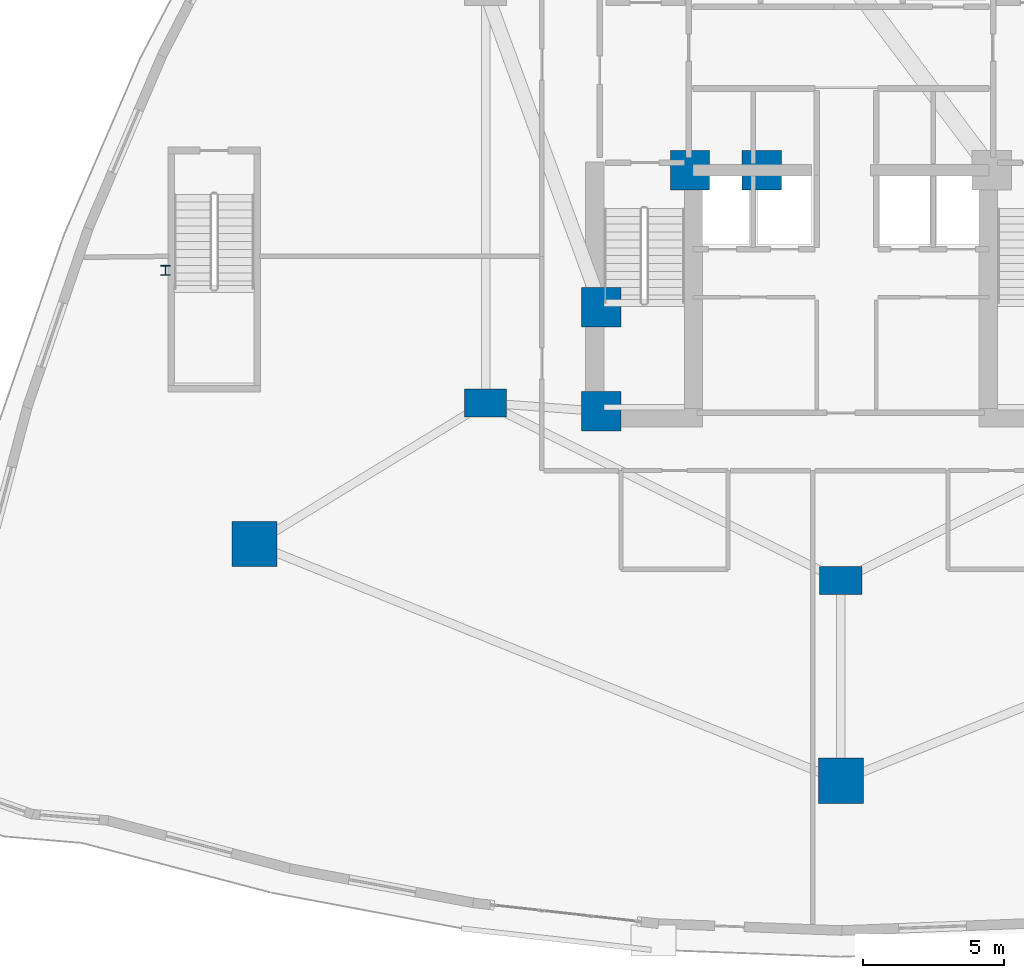
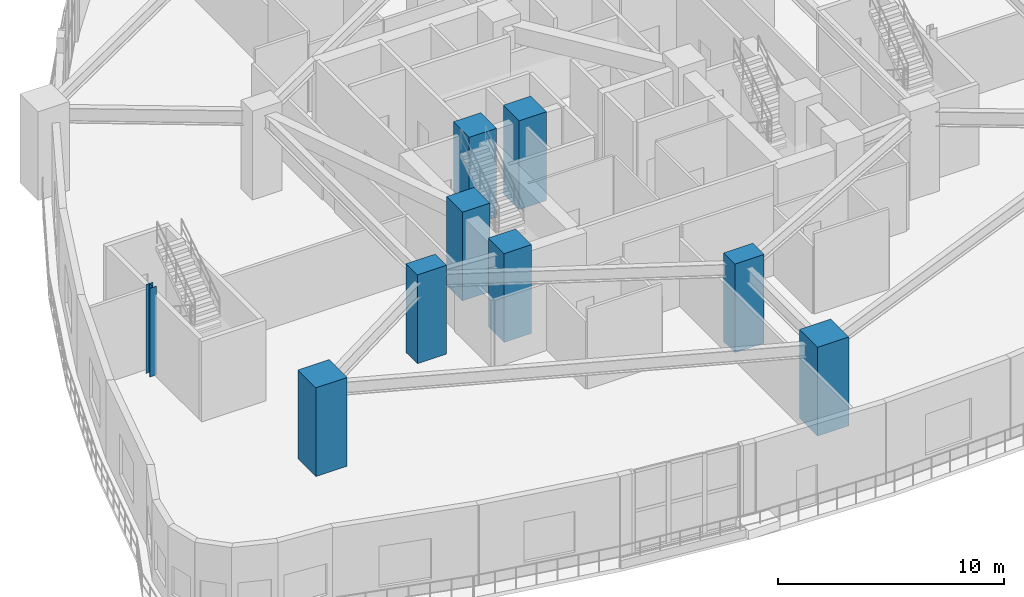
# One storey, part 1 of 19: 9 columns.
"""IFC4 building model written with IfcOpenShell, lengths in metres."""

from ifc_helpers import new_model, si_unit, direction, frame, origin, origin_2d, place, context, subcontext, project, spatial, rectangle, i_section, extrude, material, material_profile, profile_set, type_object, element, save


model = new_model("IFC4")

# Units and contexts
model_context = context("Model", 3, precision=1e-05, world=origin(), true_north=direction((0.0, 1.0)))
body_context = subcontext(model_context, "Body", "Model", "MODEL_VIEW")
ifc_project = project(units=[si_unit("LENGTHUNIT", "METRE"), si_unit("AREAUNIT", "SQUARE_METRE"), si_unit("VOLUMEUNIT", "CUBIC_METRE"), si_unit("PLANEANGLEUNIT", "RADIAN"), si_unit("MASSUNIT", "GRAM", prefix="KILO")], contexts=[model_context])

# Site, building, storey
site_placement = place(None, origin())
site = spatial("IfcSite", under=ifc_project, at=site_placement, CompositionType="ELEMENT")
building_placement = place(site_placement, origin())
building = spatial("IfcBuilding", under=site, at=building_placement, Name="Miruveldt Soraemaru", CompositionType="ELEMENT")
storey_placement = place(building_placement, frame((0.0, 0.0, 19.199951171875)))
storey = spatial("IfcBuildingStorey", under=building, at=storey_placement, Name="L05", CompositionType="ELEMENT", Elevation=19.199951171875)

# Columns
ifc_material_1 = material(Name="Concrete C80/95 (80 MPa)", Category="concrete")
ifc_material_profile_1 = material_profile(ifc_material_1, rectangle(XDim=1.39990234375, YDim=1.39990234375, at=origin_2d()), Name="Concrete C80/95 (80 MPa)", Category="concrete")
ifc_profile_set_1 = profile_set([ifc_material_profile_1], Name="Concrete C80/95 (80 MPa)")
column_type_1 = type_object("IfcColumnType", Name="COL-MEGA-1400", PredefinedType="COLUMN", material=ifc_profile_set_1)
for number, where, z_axis, x_axis, name in (
    (1, (35.5, 35.5, 0.0), (0.0, 0.0, 1.0), (1.0, 0.0, 0.0), "L05 Structural Column CC1"),
    (2, (38.64990234375, 44.050048828125, 0.0), (0.0, 0.0, 1.0), (1.0, 0.0, 0.0), "L05 Structural Column CC2"),
    (3, (35.5, 39.199951171875, 0.0), (0.0, 0.0, 1.0), (1.0, 0.0, 0.0), "L05 Structural Column CC7"),
    (4, (41.199951171875, 44.050048828125, 0.0), (0.0, 0.0, 1.0), (1.0, 0.0, 0.0), "L05 Structural Column CC8"),
):
    element("IfcColumn", number, at=place(storey_placement, frame(where, z_axis=z_axis, x_axis=x_axis)), inside=storey, type_object=column_type_1, Name=name, PredefinedType="COLUMN", context=body_context, shape_type="SweptSolid", body=[
        extrude(rectangle(XDim=1.39990234375, YDim=1.39990234375, at=origin_2d()), origin(), (0.0, 0.0, 1.0), 4.800048828125),
    ])
ifc_material_profile_2 = material_profile(ifc_material_1, rectangle(XDim=1.60009765625, YDim=1.60009765625, at=origin_2d()), Name="Concrete C80/95 (80 MPa)", Category="concrete")
ifc_profile_set_2 = profile_set([ifc_material_profile_2], Name="Concrete C80/95 (80 MPa)")
column_type_2 = type_object("IfcColumnType", Name="COL-MEGA-1600", PredefinedType="COLUMN", material=ifc_profile_set_2)
for number, where, z_axis, x_axis, name in (
    (5, (44.0, 22.39990234375, 0.0), (0.0, 0.0, 1.0), (1.0, 0.0, 0.0), "L05 Structural Column PM04"),
    (6, (23.199951171875, 30.800048828125, 0.0), (0.0, 0.0, 1.0), (1.0, 0.0, 0.0), "L05 Structural Column PM05"),
):
    element("IfcColumn", number, at=place(storey_placement, frame(where, z_axis=z_axis, x_axis=x_axis)), inside=storey, type_object=column_type_2, Name=name, PredefinedType="COLUMN", context=body_context, shape_type="SweptSolid", body=[
        extrude(rectangle(XDim=1.60009765625, YDim=1.60009765625, at=origin_2d()), origin(), (0.0, 0.0, 1.0), 4.800048828125),
    ])
ifc_material_2 = material(Name="Steel SM355 (355 MPa)", Category="steel")
ifc_material_profile_3 = material_profile(ifc_material_2, i_section(OverallWidth=0.35009765625, OverallDepth=0.35009765625, WebThickness=0.011962890625, FlangeThickness=0.01904296875, FilletRadius=0.02001953125, at=origin_2d()), Name="Steel SM355 (355 MPa)", Category="steel")
ifc_profile_set_3 = profile_set([ifc_material_profile_3], Name="Steel SM355 (355 MPa)")
column_type_3 = type_object("IfcColumnType", Name="COL-PIL-350", PredefinedType="PILASTER", material=ifc_profile_set_3)
column_placement = place(storey_placement, frame((20.050048828125, 40.5, 0.0), z_axis=(0.0, 0.0, 1.0), x_axis=(1.0, 0.0, 0.0)))
element("IfcColumn", 7, at=column_placement, inside=storey, type_object=column_type_3, Name="L05 Structural Column PIL1", PredefinedType="PILASTER", context=body_context, shape_type="SweptSolid", body=[
    extrude(i_section(OverallWidth=0.35009765625, OverallDepth=0.35009765625, WebThickness=0.011962890625, FlangeThickness=0.01904296875, FilletRadius=0.02001953125, at=origin_2d()), origin(), (0.0, 0.0, 1.0), 4.800048828125),
])
ifc_material_profile_4 = material_profile(ifc_material_1, rectangle(XDim=1.5, YDim=1.0, at=origin_2d()), Name="Concrete C80/95 (80 MPa)", Category="concrete")
ifc_profile_set_4 = profile_set([ifc_material_profile_4], Name="Concrete C80/95 (80 MPa)")
column_type_4 = type_object("IfcColumnType", Name="COL-TW-Z1A", PredefinedType="COLUMN", material=ifc_profile_set_4)
for number, where, z_axis, x_axis, name in (
    (8, (44.0, 29.5, 0.0), (0.0, 0.0, 1.0), (1.0, 0.0, 0.0), "L05 Structural Column IR04"),
    (9, (31.39990234375, 35.800048828125, 0.0), (0.0, 0.0, 1.0), (1.0, 0.0, 0.0), "L05 Structural Column IR05"),
):
    element("IfcColumn", number, at=place(storey_placement, frame(where, z_axis=z_axis, x_axis=x_axis)), inside=storey, type_object=column_type_4, Name=name, PredefinedType="COLUMN", context=body_context, shape_type="SweptSolid", body=[
        extrude(rectangle(XDim=1.5, YDim=1.0, at=origin_2d()), origin(), (0.0, 0.0, 1.0), 4.800048828125),
    ])

save(model, "model.ifc")
